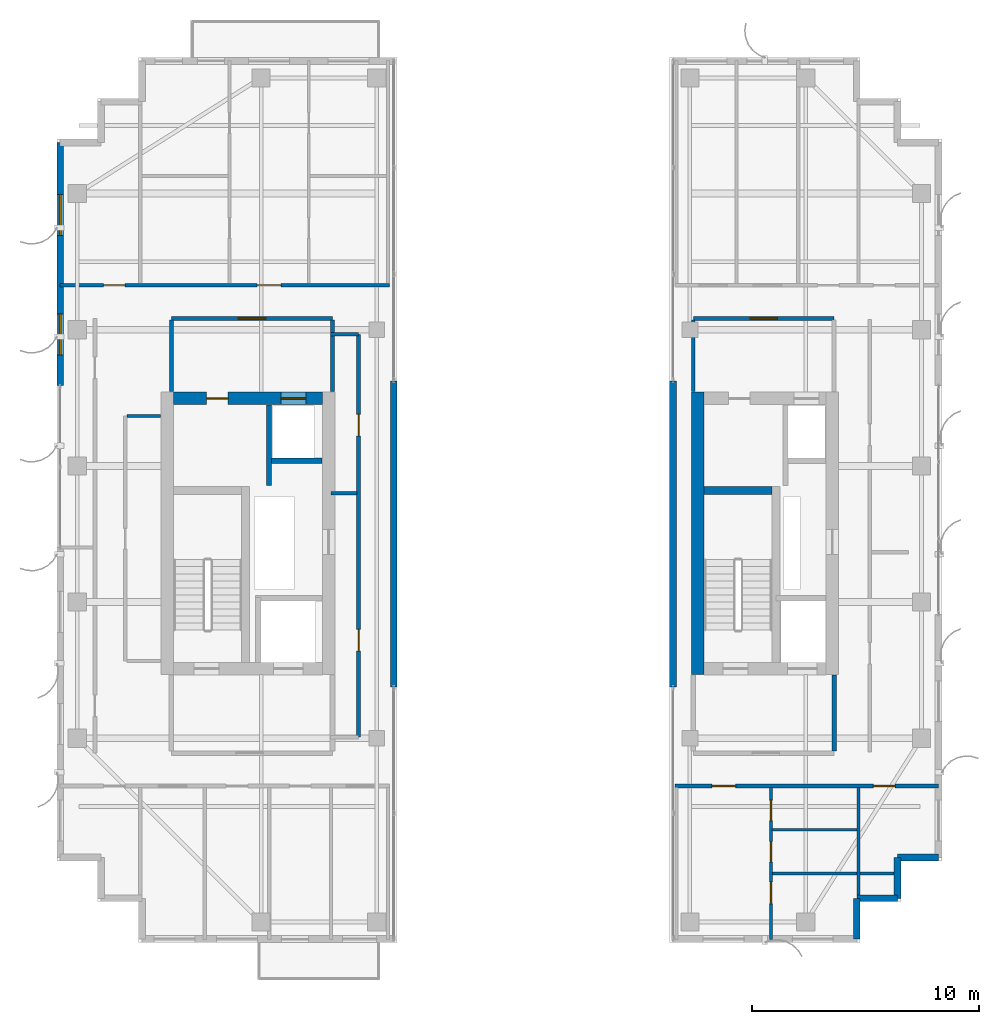
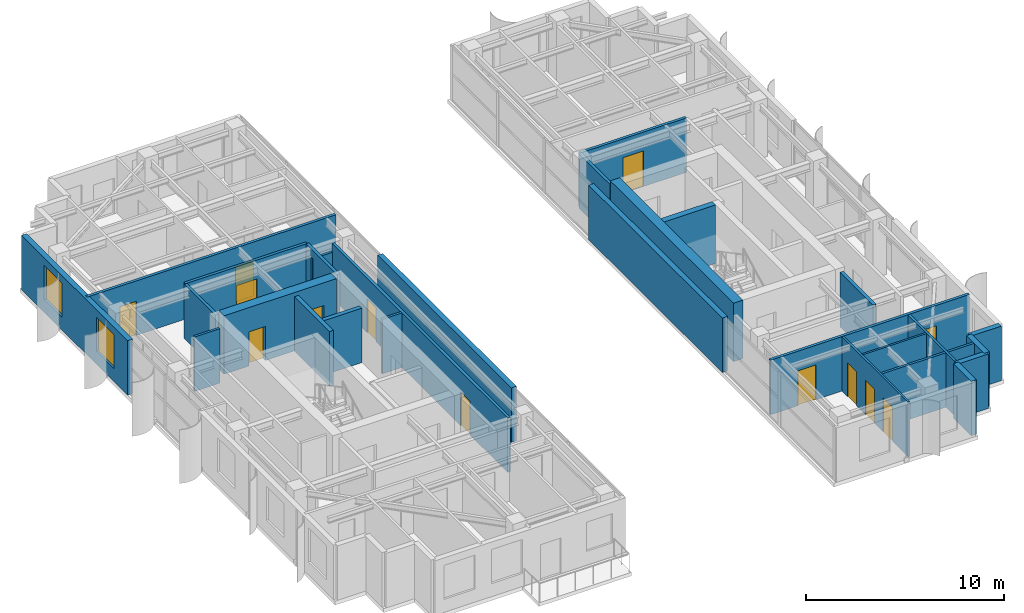
# One storey, part 18 of 23: 28 walls, 13 doors, 2 windows, 15 openings.
"""IFC4 building model written with IfcOpenShell, lengths in metres."""

from ifc_helpers import new_model, si_unit, direction, frame, frame_2d, origin, place, context, subcontext, project, spatial, rectangle, extrude, source, transform, mapped, material, layer, layer_set, type_object, element, fill, save


model = new_model("IFC4")

# Units and contexts
model_context = context("Model", 3, precision=1e-05, world=origin(), true_north=direction((0.0, 1.0)))
body_context = subcontext(model_context, "Body", "Model", "MODEL_VIEW")
ifc_project = project(units=[si_unit("LENGTHUNIT", "METRE"), si_unit("AREAUNIT", "SQUARE_METRE"), si_unit("VOLUMEUNIT", "CUBIC_METRE"), si_unit("PLANEANGLEUNIT", "RADIAN"), si_unit("MASSUNIT", "GRAM", prefix="KILO")], contexts=[model_context])

# Site, building, storey
site_placement = place(None, origin())
site = spatial("IfcSite", under=ifc_project, at=site_placement, CompositionType="ELEMENT")
building_placement = place(site_placement, origin())
building = spatial("IfcBuilding", under=site, at=building_placement, Name="Khoralis Quay Care Tower", CompositionType="ELEMENT")
storey_placement = place(building_placement, frame((0.0, 0.0, 245.699951171875)))
storey = spatial("IfcBuildingStorey", under=building, at=storey_placement, Name="L64", CompositionType="ELEMENT", Elevation=245.699951171875)

# Wall
ifc_material_1 = material(Name="Gypsum plasterboard on acoustic metal stud")
ifc_layer_1 = layer(ifc_material_1, 0.199951171875)
ifc_layer_set_1 = layer_set([ifc_layer_1], Name="Gypsum plasterboard on acoustic metal stud")
wall_type_1 = type_object("IfcWallType", Name="WL-COMP-200", PredefinedType="PARTITIONING", material=ifc_layer_set_1)
wall_1_placement = place(storey_placement, frame((37.25, 11.445068359375, 0.0), z_axis=(0.0, 0.0, 1.0), x_axis=(0.0, 1.0, 0.0)))
element("IfcWall", 1, at=wall_1_placement, inside=storey, type_object=wall_type_1, Name="L64 East Firefighting Lobby East Wall", PredefinedType="PARTITIONING", context=body_context, shape_type="SweptSolid", body=[
    extrude(rectangle(XDim=3.3349609375, YDim=0.199951171875, at=frame_2d((1.66748046875, 0.0))), origin(), (0.0, 0.0, 1.0), 3.360107421875),
])

# Wall, openings, doors
ifc_material_2 = material(Name="Concrete C65/80", Category="concrete")
ifc_layer_2 = layer(ifc_material_2, 0.550048828125)
ifc_layer_set_2 = layer_set([ifc_layer_2], Name="Concrete C65/80")
wall_type_2 = type_object("IfcWallType", Name="WL-CORE-550", PredefinedType="SHEAR", material=ifc_layer_set_2)
wall_2_placement = place(storey_placement, frame((8.14990234375, 26.97509765625, 0.0), z_axis=(0.0, 0.0, 1.0), x_axis=(1.0, 0.0, 0.0)))
wall_2 = element("IfcWall", 2, at=wall_2_placement, inside=storey, type_object=wall_type_2, Name="L64 WCORE North Shear Wall", PredefinedType="SHEAR", context=body_context, shape_type="SweptSolid", body=[
    extrude(rectangle(XDim=6.550048828125, YDim=0.550048828125, at=frame_2d((3.27490234375, 0.0))), origin(), (0.0, 0.0, 1.0), 3.60009765625),
])
opening_1_placement = place(wall_2_placement, frame((1.449951171875, 0.0, 0.0)))
opening_1 = element("IfcOpeningElement", 3, at=opening_1_placement, cuts=wall_2, Name="Opening ID1", PredefinedType="OPENING", context=body_context, shape_type="SweptSolid", body=[
    extrude(rectangle(XDim=0.949951171875, YDim=2.10009765625, at=frame_2d((0.47509765625, 1.050048828125))), frame((0.0, 0.28515625, 0.0), z_axis=(0.0, -1.0, 0.0), x_axis=(1.0, 0.0, 0.0)), (0.0, 0.0, 1.0), 0.570068359375),
])
opening_2_placement = place(wall_2_placement, frame((4.72998046875, 0.0, 0.0)))
opening_2 = element("IfcOpeningElement", 4, at=opening_2_placement, cuts=wall_2, Name="Opening LD1", PredefinedType="OPENING", context=body_context, shape_type="SweptSolid", body=[
    extrude(rectangle(XDim=1.10009765625, YDim=2.199951171875, at=frame_2d((0.550048828125, 1.10009765625))), frame((0.0, 0.28515625, 0.0), z_axis=(0.0, -1.0, 0.0), x_axis=(1.0, 0.0, 0.0)), (0.0, 0.0, 1.0), 0.570068359375),
])
ifc_material_3 = material(Name="Brushed stainless steel", Category="steel")
door_type_1 = type_object("IfcDoorType", Name="DR-LIFT-1100X2200", OperationType="SLIDING_TO_LEFT", PredefinedType="DOOR", material=ifc_material_3)
shared_shape_1 = source(origin(), body_context, "Body", "SweptSolid", [
    extrude(rectangle(XDim=1.10009765625, YDim=2.199951171875, at=frame_2d((0.550048828125, 1.10009765625))), frame((0.0, 0.02490234375, 0.0), z_axis=(0.0, -1.0, 0.0), x_axis=(1.0, 0.0, 0.0)), (0.0, 0.0, 1.0), 0.050048828125),
])
door_1_placement = place(opening_2_placement, origin())
door_1 = element("IfcDoor", 5, at=door_1_placement, inside=storey, type_object=door_type_1, Name="L64 Lift PLH1 Landing Door", OperationType="SLIDING_TO_LEFT", OverallHeight=2.199951171875, OverallWidth=1.10009765625, PredefinedType="DOOR", context=body_context, shape_type="MappedRepresentation", body=[
    mapped(shared_shape_1, transform((0.0, 0.0, 0.0), scale=1.0)),
])
fill(opening_2, door_1)
ifc_material_4 = material(Name="Acoustic hardwood timber", Category="wood")
door_type_2 = type_object("IfcDoorType", Name="DR-ROOM-950X2100", OperationType="NOTDEFINED", PredefinedType="DOOR", material=ifc_material_4)
shared_shape_2 = source(origin(), body_context, "Body", "SweptSolid", [
    extrude(rectangle(XDim=0.949951171875, YDim=2.10009765625, at=frame_2d((0.47509765625, 1.050048828125))), frame((0.0, 0.02490234375, 0.0), z_axis=(0.0, -1.0, 0.0), x_axis=(1.0, 0.0, 0.0)), (0.0, 0.0, 1.0), 0.050048828125),
])
door_2_placement = place(opening_1_placement, frame((0.949951171875, 0.0, 0.0), z_axis=(0.0, 0.0, 1.0), x_axis=(-1.0, 0.0, 0.0)))
door_2 = element("IfcDoor", 6, at=door_2_placement, inside=storey, type_object=door_type_2, Name="L64 Telemetry Room Door", OperationType="SINGLE_SWING_RIGHT", OverallHeight=2.10009765625, OverallWidth=0.949951171875, PredefinedType="DOOR", context=body_context, shape_type="MappedRepresentation", body=[
    mapped(shared_shape_2, transform((0.0, 0.0, 0.0), scale=1.0)),
])
fill(opening_1, door_2)

# Wall
wall_3_placement = place(storey_placement, frame((31.2451171875, 14.800048828125, 0.0), z_axis=(0.0, 0.0, 1.0), x_axis=(0.0, 1.0, 0.0)))
element("IfcWall", 7, at=wall_3_placement, inside=storey, type_object=wall_type_2, Name="L64 ECORE West Shear Wall", PredefinedType="SHEAR", context=body_context, shape_type="SweptSolid", body=[
    extrude(rectangle(XDim=12.449951171875, YDim=0.550048828125, at=frame_2d((6.22509765625, 0.0))), origin(), (0.0, 0.0, 1.0), 3.60009765625),
])

# Wall, opening, door
ifc_layer_3 = layer(ifc_material_1, 0.1650390625)
ifc_layer_set_3 = layer_set([ifc_layer_3], Name="Gypsum plasterboard on acoustic metal stud")
wall_type_3 = type_object("IfcWallType", Name="WL-CORR-165", PredefinedType="PARTITIONING", material=ifc_layer_set_3)
wall_4_placement = place(storey_placement, frame((8.050048828125, 30.5, 0.0), z_axis=(0.0, 0.0, 1.0), x_axis=(1.0, 0.0, 0.0)))
wall_4 = element("IfcWall", 8, at=wall_4_placement, inside=storey, type_object=wall_type_3, Name="L64 West Lift Lobby North Wall", PredefinedType="PARTITIONING", context=body_context, shape_type="SweptSolid", body=[
    extrude(rectangle(XDim=7.099853515625, YDim=0.1650390625, at=frame_2d((3.5498046875, 0.0))), origin(), (0.0, 0.0, 1.0), 3.360107421875),
])
opening_3_placement = place(wall_4_placement, frame((2.949951171875, 0.0, 0.0)))
opening_3 = element("IfcOpeningElement", 9, at=opening_3_placement, cuts=wall_4, Name="Opening FD1", PredefinedType="OPENING", context=body_context, shape_type="SweptSolid", body=[
    extrude(rectangle(XDim=1.199951171875, YDim=2.199951171875, at=frame_2d((0.60009765625, 1.10009765625))), frame((0.0, 0.092529296875, 0.0), z_axis=(0.0, -1.0, 0.0), x_axis=(1.0, 0.0, 0.0)), (0.0, 0.0, 1.0), 0.18505859375),
])
ifc_material_5 = material(Name="Fire-rated painted steel", Category="steel")
door_type_3 = type_object("IfcDoorType", Name="DR-FFL-1200X2200", OperationType="NOTDEFINED", PredefinedType="DOOR", material=ifc_material_5)
shared_shape_3 = source(origin(), body_context, "Body", "SweptSolid", [
    extrude(rectangle(XDim=1.199951171875, YDim=2.199951171875, at=frame_2d((0.60009765625, 1.10009765625))), frame((0.0, 0.02490234375, 0.0), z_axis=(0.0, -1.0, 0.0), x_axis=(1.0, 0.0, 0.0)), (0.0, 0.0, 1.0), 0.050048828125),
])
door_3_placement = place(opening_3_placement, origin())
door_3 = element("IfcDoor", 10, at=door_3_placement, inside=storey, type_object=door_type_3, Name="L64 West Lift Lobby Double Door", OperationType="DOUBLE_DOOR_SINGLE_SWING", OverallHeight=2.199951171875, OverallWidth=1.199951171875, PredefinedType="DOOR", context=body_context, shape_type="MappedRepresentation", body=[
    mapped(shared_shape_3, transform((0.0, 0.0, 0.0), scale=1.0)),
])
fill(opening_3, door_3)

# Walls
for number, where, z_axis, x_axis, name in (
    (11, (8.050048828125, 27.27001953125, 0.0), (0.0, 0.0, 1.0), (0.0, 1.0, 0.0), "L64 West Lift Lobby West Wall"),
    (12, (15.14990234375, 27.27001953125, 0.0), (0.0, 0.0, 1.0), (0.0, 1.0, 0.0), "L64 West Lift Lobby East Wall"),
):
    element("IfcWall", number, at=place(storey_placement, frame(where, z_axis=z_axis, x_axis=x_axis)), inside=storey, type_object=wall_type_3, Name=name, PredefinedType="PARTITIONING", context=body_context, shape_type="SweptSolid", body=[
        extrude(rectangle(XDim=3.152587890625, YDim=0.1650390625, at=frame_2d((1.576171875, 0.0))), origin(), (0.0, 0.0, 1.0), 3.360107421875),
    ])

# Wall, opening, door
wall_5_placement = place(storey_placement, frame((31.050048828125, 30.5, 0.0), z_axis=(0.0, 0.0, 1.0), x_axis=(1.0, 0.0, 0.0)))
wall_5 = element("IfcWall", 13, at=wall_5_placement, inside=storey, type_object=wall_type_3, Name="L64 East Lift Lobby North Wall", PredefinedType="PARTITIONING", context=body_context, shape_type="SweptSolid", body=[
    extrude(rectangle(XDim=6.199951171875, YDim=0.1650390625, at=frame_2d((3.10009765625, 0.0))), origin(), (0.0, 0.0, 1.0), 3.360107421875),
])
opening_4_placement = place(wall_5_placement, frame((2.5, 0.0, 0.0)))
opening_4 = element("IfcOpeningElement", 14, at=opening_4_placement, cuts=wall_5, Name="Opening FD1", PredefinedType="OPENING", context=body_context, shape_type="SweptSolid", body=[
    extrude(rectangle(XDim=1.199951171875, YDim=2.199951171875, at=frame_2d((0.60009765625, 1.10009765625))), frame((0.0, 0.092529296875, 0.0), z_axis=(0.0, -1.0, 0.0), x_axis=(1.0, 0.0, 0.0)), (0.0, 0.0, 1.0), 0.18505859375),
])
door_4_placement = place(opening_4_placement, origin())
door_4 = element("IfcDoor", 15, at=door_4_placement, inside=storey, type_object=door_type_3, Name="L64 East Lift Lobby Double Door", OperationType="DOUBLE_DOOR_SINGLE_SWING", OverallHeight=2.199951171875, OverallWidth=1.199951171875, PredefinedType="DOOR", context=body_context, shape_type="MappedRepresentation", body=[
    mapped(shared_shape_3, transform((0.0, 0.0, 0.0), scale=1.0)),
])
fill(opening_4, door_4)

# Wall
wall_6_placement = place(storey_placement, frame((31.050048828125, 27.27001953125, 0.0), z_axis=(0.0, 0.0, 1.0), x_axis=(0.0, 1.0, 0.0)))
element("IfcWall", 16, at=wall_6_placement, inside=storey, type_object=wall_type_3, Name="L64 East Lift Lobby West Wall", PredefinedType="PARTITIONING", context=body_context, shape_type="SweptSolid", body=[
    extrude(rectangle(XDim=3.152587890625, YDim=0.1650390625, at=frame_2d((1.576171875, 0.0))), origin(), (0.0, 0.0, 1.0), 3.360107421875),
])

# Wall, openings, doors
wall_7_placement = place(storey_placement, frame((3.14501953125, 31.9599609375, 0.0), z_axis=(0.0, 0.0, 1.0), x_axis=(1.0, 0.0, 0.0)))
wall_7 = element("IfcWall", 17, at=wall_7_placement, inside=storey, type_object=wall_type_3, Name="L64 West Wing North Corridor Wall", PredefinedType="PARTITIONING", context=body_context, shape_type="SweptSolid", body=[
    extrude(rectangle(XDim=14.5048828125, YDim=0.1650390625, at=frame_2d((7.25244140625, 0.0))), origin(), (0.0, 0.0, 1.0), 3.360107421875),
])
opening_5_placement = place(wall_7_placement, frame((8.6884765625, 0.0, 0.0)))
opening_5 = element("IfcOpeningElement", 18, at=opening_5_placement, cuts=wall_7, Name="Opening UD1", PredefinedType="OPENING", context=body_context, shape_type="SweptSolid", body=[
    extrude(rectangle(XDim=1.050048828125, YDim=2.14990234375, at=frame_2d((0.52490234375, 1.074951171875))), frame((0.0, 0.092529296875, 0.0), z_axis=(0.0, -1.0, 0.0), x_axis=(1.0, 0.0, 0.0)), (0.0, 0.0, 1.0), 0.18505859375),
])
opening_6_placement = place(wall_7_placement, frame((1.919921875, 0.0, 0.0)))
opening_6 = element("IfcOpeningElement", 19, at=opening_6_placement, cuts=wall_7, Name="Opening ID1", PredefinedType="OPENING", context=body_context, shape_type="SweptSolid", body=[
    extrude(rectangle(XDim=0.949951171875, YDim=2.10009765625, at=frame_2d((0.47509765625, 1.050048828125))), frame((0.0, 0.092529296875, 0.0), z_axis=(0.0, -1.0, 0.0), x_axis=(1.0, 0.0, 0.0)), (0.0, 0.0, 1.0), 0.18505859375),
])
door_5_placement = place(opening_6_placement, origin())
door_5 = element("IfcDoor", 20, at=door_5_placement, inside=storey, type_object=door_type_2, Name="L64 NW Corner Door", OperationType="SINGLE_SWING_RIGHT", OverallHeight=2.10009765625, OverallWidth=0.949951171875, PredefinedType="DOOR", context=body_context, shape_type="MappedRepresentation", body=[
    mapped(shared_shape_2, transform((0.0, 0.0, 0.0), scale=1.0)),
])
fill(opening_6, door_5)
door_type_4 = type_object("IfcDoorType", Name="DR-SUITE-1050X2150", OperationType="NOTDEFINED", PredefinedType="DOOR", material=ifc_material_4)
shared_shape_4 = source(origin(), body_context, "Body", "SweptSolid", [
    extrude(rectangle(XDim=1.050048828125, YDim=2.14990234375, at=frame_2d((0.52490234375, 1.074951171875))), frame((0.0, 0.02490234375, 0.0), z_axis=(0.0, -1.0, 0.0), x_axis=(1.0, 0.0, 0.0)), (0.0, 0.0, 1.0), 0.050048828125),
])
door_6_placement = place(opening_5_placement, origin())
door_6 = element("IfcDoor", 21, at=door_6_placement, inside=storey, type_object=door_type_4, Name="L64 2BR WN0 Entrance", OperationType="SINGLE_SWING_LEFT", OverallHeight=2.14990234375, OverallWidth=1.050048828125, PredefinedType="DOOR", context=body_context, shape_type="MappedRepresentation", body=[
    mapped(shared_shape_4, transform((0.0, 0.0, 0.0), scale=1.0)),
])
fill(opening_5, door_6)

wall_8_placement = place(storey_placement, frame((16.300048828125, 12.050048828125, 0.0), z_axis=(0.0, 0.0, 1.0), x_axis=(0.0, 1.0, 0.0)))
wall_8 = element("IfcWall", 22, at=wall_8_placement, inside=storey, type_object=wall_type_3, Name="L64 Portal Gallery Wall", PredefinedType="PARTITIONING", context=body_context, shape_type="SweptSolid", body=[
    extrude(rectangle(XDim=17.75, YDim=0.1650390625, at=frame_2d((8.875, 0.0))), origin(), (0.0, 0.0, 1.0), 3.360107421875),
])
opening_7_placement = place(wall_8_placement, frame((3.800048828125, 0.0, 0.0)))
opening_7 = element("IfcOpeningElement", 23, at=opening_7_placement, cuts=wall_8, Name="Opening ID1", PredefinedType="OPENING", context=body_context, shape_type="SweptSolid", body=[
    extrude(rectangle(XDim=0.949951171875, YDim=2.10009765625, at=frame_2d((0.47509765625, 1.050048828125))), frame((0.0, 0.092529296875, 0.0), z_axis=(0.0, -1.0, 0.0), x_axis=(1.0, 0.0, 0.0)), (0.0, 0.0, 1.0), 0.18505859375),
])
opening_8_placement = place(wall_8_placement, frame((13.27490234375, 0.0, 0.0)))
opening_8 = element("IfcOpeningElement", 24, at=opening_8_placement, cuts=wall_8, Name="Opening ID1", PredefinedType="OPENING", context=body_context, shape_type="SweptSolid", body=[
    extrude(rectangle(XDim=0.949951171875, YDim=2.10009765625, at=frame_2d((0.47509765625, 1.050048828125))), frame((0.0, 0.092529296875, 0.0), z_axis=(0.0, -1.0, 0.0), x_axis=(1.0, 0.0, 0.0)), (0.0, 0.0, 1.0), 0.18505859375),
])
door_7_placement = place(opening_7_placement, frame((0.949951171875, 0.0, 0.0), z_axis=(0.0, 0.0, 1.0), x_axis=(-1.0, 0.0, 0.0)))
door_7 = element("IfcDoor", 25, at=door_7_placement, inside=storey, type_object=door_type_2, Name="L64 Portal Lounge Door", OperationType="SINGLE_SWING_LEFT", OverallHeight=2.10009765625, OverallWidth=0.949951171875, PredefinedType="DOOR", context=body_context, shape_type="MappedRepresentation", body=[
    mapped(shared_shape_2, transform((0.0, 0.0, 0.0), scale=1.0)),
])
fill(opening_7, door_7)
door_8_placement = place(opening_8_placement, frame((0.949951171875, 0.0, 0.0), z_axis=(0.0, 0.0, 1.0), x_axis=(-1.0, 0.0, 0.0)))
door_8 = element("IfcDoor", 26, at=door_8_placement, inside=storey, type_object=door_type_2, Name="L64 Portal Office Door", OperationType="SINGLE_SWING_RIGHT", OverallHeight=2.10009765625, OverallWidth=0.949951171875, PredefinedType="DOOR", context=body_context, shape_type="MappedRepresentation", body=[
    mapped(shared_shape_2, transform((0.0, 0.0, 0.0), scale=1.0)),
])
fill(opening_8, door_8)

wall_9_placement = place(storey_placement, frame((30.25, 9.89990234375, 0.0), z_axis=(0.0, 0.0, 1.0), x_axis=(1.0, 0.0, 0.0)))
wall_9 = element("IfcWall", 27, at=wall_9_placement, inside=storey, type_object=wall_type_3, Name="L64 East Wing South Corridor Wall", PredefinedType="PARTITIONING", context=body_context, shape_type="SweptSolid", body=[
    extrude(rectangle(XDim=11.60498046875, YDim=0.1650390625, at=frame_2d((5.802490234375, 0.0))), origin(), (0.0, 0.0, 1.0), 3.360107421875),
])
opening_9_placement = place(wall_9_placement, frame((1.610107421875, 0.0, 0.0)))
opening_9 = element("IfcOpeningElement", 28, at=opening_9_placement, cuts=wall_9, Name="Opening UD1", PredefinedType="OPENING", context=body_context, shape_type="SweptSolid", body=[
    extrude(rectangle(XDim=1.050048828125, YDim=2.14990234375, at=frame_2d((0.52490234375, 1.074951171875))), frame((0.0, 0.092529296875, 0.0), z_axis=(0.0, -1.0, 0.0), x_axis=(1.0, 0.0, 0.0)), (0.0, 0.0, 1.0), 0.18505859375),
])
opening_10_placement = place(wall_9_placement, frame((8.735107421875, 0.0, 0.0)))
opening_10 = element("IfcOpeningElement", 29, at=opening_10_placement, cuts=wall_9, Name="Opening ID1", PredefinedType="OPENING", context=body_context, shape_type="SweptSolid", body=[
    extrude(rectangle(XDim=0.949951171875, YDim=2.10009765625, at=frame_2d((0.47509765625, 1.050048828125))), frame((0.0, 0.092529296875, 0.0), z_axis=(0.0, -1.0, 0.0), x_axis=(1.0, 0.0, 0.0)), (0.0, 0.0, 1.0), 0.18505859375),
])
door_9_placement = place(opening_10_placement, frame((0.949951171875, 0.0, 0.0), z_axis=(0.0, 0.0, 1.0), x_axis=(-1.0, 0.0, 0.0)))
door_9 = element("IfcDoor", 30, at=door_9_placement, inside=storey, type_object=door_type_2, Name="L64 SE Corner Door", OperationType="SINGLE_SWING_RIGHT", OverallHeight=2.10009765625, OverallWidth=0.949951171875, PredefinedType="DOOR", context=body_context, shape_type="MappedRepresentation", body=[
    mapped(shared_shape_2, transform((0.0, 0.0, 0.0), scale=1.0)),
])
fill(opening_10, door_9)
door_10_placement = place(opening_9_placement, frame((1.050048828125, 0.0, 0.0), z_axis=(0.0, 0.0, 1.0), x_axis=(-1.0, 0.0, 0.0)))
door_10 = element("IfcDoor", 31, at=door_10_placement, inside=storey, type_object=door_type_4, Name="L64 Apartment ES0 Entrance Door", OperationType="SINGLE_SWING_LEFT", OverallHeight=2.14990234375, OverallWidth=1.050048828125, PredefinedType="DOOR", context=body_context, shape_type="MappedRepresentation", body=[
    mapped(shared_shape_4, transform((0.0, 0.0, 0.0), scale=1.0)),
])
fill(opening_9, door_10)

# Wall
ifc_material_6 = material(Name="Precast concrete C45/55", Category="concrete")
ifc_layer_4 = layer(ifc_material_6, 0.300048828125)
ifc_layer_set_4 = layer_set([ifc_layer_4], Name="Precast concrete C45/55")
wall_type_4 = type_object("IfcWallType", Name="WL-EXT-REF-300", PredefinedType="SOLIDWALL", material=ifc_layer_set_4)
wall_10_placement = place(storey_placement, frame((17.85009765625, 14.25, 0.0), z_axis=(0.0, 0.0, 1.0), x_axis=(0.0, 1.0, 0.0)))
element("IfcWall", 32, at=wall_10_placement, inside=storey, type_object=wall_type_4, Name="L64 External Facade Wall WL-VP-L64-P1-M", PredefinedType="SOLIDWALL", context=body_context, shape_type="SweptSolid", body=[
    extrude(rectangle(XDim=13.5, YDim=0.300048828125, at=frame_2d((6.75, 0.0))), origin(), (0.0, 0.0, 1.0), 3.360107421875),
])

# Wall, openings, windows
wall_11_placement = place(storey_placement, frame((3.14990234375, 38.25, 0.0), z_axis=(0.0, 0.0, 1.0), x_axis=(0.0, -1.0, 0.0)))
wall_11 = element("IfcWall", 33, at=wall_11_placement, inside=storey, type_object=wall_type_4, Name="L64 External Facade Wall WL-EXT-L64-P1-E7A", PredefinedType="SOLIDWALL", context=body_context, shape_type="SweptSolid", body=[
    extrude(rectangle(XDim=10.7099609375, YDim=0.300048828125, at=frame_2d((5.35498046875, 0.0))), origin(), (0.0, 0.0, 1.0), 3.360107421875),
])
opening_11_placement = place(wall_11_placement, frame((2.294921875, 0.0, 0.800048828125)))
opening_11 = element("IfcOpeningElement", 34, at=opening_11_placement, cuts=wall_11, Name="Opening W2", PredefinedType="OPENING", context=body_context, shape_type="SweptSolid", body=[
    extrude(rectangle(XDim=1.800048828125, YDim=2.10009765625, at=frame_2d((0.89990234375, 1.050048828125))), frame((0.0, 0.16015625, 0.0), z_axis=(0.0, -1.0, 0.0), x_axis=(1.0, 0.0, 0.0)), (0.0, 0.0, 1.0), 0.320068359375),
])
opening_12_placement = place(wall_11_placement, frame((7.550048828125, 0.0, 0.800048828125)))
opening_12 = element("IfcOpeningElement", 35, at=opening_12_placement, cuts=wall_11, Name="Opening W2", PredefinedType="OPENING", context=body_context, shape_type="SweptSolid", body=[
    extrude(rectangle(XDim=1.800048828125, YDim=2.10009765625, at=frame_2d((0.89990234375, 1.050048828125))), frame((0.0, 0.16015625, 0.0), z_axis=(0.0, -1.0, 0.0), x_axis=(1.0, 0.0, 0.0)), (0.0, 0.0, 1.0), 0.320068359375),
])
ifc_material_7 = material(Name="Low-E solar-control double glazing", Category="glass")
window_type = type_object("IfcWindowType", Name="WN-POD-1800X2100", PartitioningType="SINGLE_PANEL", PredefinedType="WINDOW", material=ifc_material_7)
shared_shape_5 = source(origin(), body_context, "Body", "SweptSolid", [
    extrude(rectangle(XDim=1.800048828125, YDim=2.10009765625, at=frame_2d((0.89990234375, 1.050048828125))), frame((0.0, 0.030029296875, 0.0), z_axis=(0.0, -1.0, 0.0), x_axis=(1.0, 0.0, 0.0)), (0.0, 0.0, 1.0), 0.06005859375),
])
window_1_placement = place(opening_11_placement, origin())
window_1 = element("IfcWindow", 36, at=window_1_placement, inside=storey, type_object=window_type, Name="WN-L64-P1-E7A Facade Window 01", OverallHeight=2.10009765625, OverallWidth=1.800048828125, PartitioningType="SINGLE_PANEL", PredefinedType="WINDOW", context=body_context, shape_type="MappedRepresentation", body=[
    mapped(shared_shape_5, transform((0.0, 0.0, 0.0), scale=1.0)),
])
fill(opening_11, window_1)
window_2_placement = place(opening_12_placement, origin())
window_2 = element("IfcWindow", 37, at=window_2_placement, inside=storey, type_object=window_type, Name="WN-L64-P1-E7A Facade Window 02", OverallHeight=2.10009765625, OverallWidth=1.800048828125, PartitioningType="SINGLE_PANEL", PredefinedType="WINDOW", context=body_context, shape_type="MappedRepresentation", body=[
    mapped(shared_shape_5, transform((0.0, 0.0, 0.0), scale=1.0)),
])
fill(opening_12, window_2)

# Walls
for number, where, z_axis, x_axis, name in (
    (38, (38.25, 3.14990234375, 0.0), (0.0, 0.0, 1.0), (0.0, 1.0, 0.0), "L64 External Facade Wall WL-EXT-L64-P2-C1"),
    (39, (38.25, 4.949951171875, 0.0), (0.0, 0.0, 1.0), (1.0, 0.0, 0.0), "L64 External Facade Wall WL-EXT-L64-P2-C2"),
    (40, (40.050048828125, 4.949951171875, 0.0), (0.0, 0.0, 1.0), (0.0, 1.0, 0.0), "L64 External Facade Wall WL-EXT-L64-P2-C3"),
    (41, (40.050048828125, 6.75, 0.0), (0.0, 0.0, 1.0), (1.0, 0.0, 0.0), "L64 External Facade Wall WL-EXT-L64-P2-C4"),
):
    element("IfcWall", number, at=place(storey_placement, frame(where, z_axis=z_axis, x_axis=x_axis)), inside=storey, type_object=wall_type_4, Name=name, PredefinedType="SOLIDWALL", context=body_context, shape_type="SweptSolid", body=[
        extrude(rectangle(XDim=1.800048828125, YDim=0.300048828125, at=frame_2d((0.89990234375, 0.0))), origin(), (0.0, 0.0, 1.0), 3.360107421875),
    ])
wall_12_placement = place(storey_placement, frame((30.14990234375, 14.25, 0.0), z_axis=(0.0, 0.0, 1.0), x_axis=(0.0, 1.0, 0.0)))
element("IfcWall", 42, at=wall_12_placement, inside=storey, type_object=wall_type_4, Name="L64 External Facade Wall WL-VP-L64-P2-M", PredefinedType="SOLIDWALL", context=body_context, shape_type="SweptSolid", body=[
    extrude(rectangle(XDim=13.5, YDim=0.300048828125, at=frame_2d((6.75, 0.0))), origin(), (0.0, 0.0, 1.0), 3.360107421875),
])

# Wall, openings, doors
ifc_layer_5 = layer(ifc_material_1, 0.114990234375)
ifc_layer_set_5 = layer_set([ifc_layer_5], Name="Gypsum plasterboard on acoustic metal stud")
wall_type_5 = type_object("IfcWallType", Name="WL-PART-115", PredefinedType="PARTITIONING", material=ifc_layer_set_5)
wall_13_placement = place(storey_placement, frame((34.469970703125, 3.14501953125, 0.0), z_axis=(0.0, 0.0, 1.0), x_axis=(0.0, 1.0, 0.0)))
wall_13 = element("IfcWall", 43, at=wall_13_placement, inside=storey, type_object=wall_type_5, Name="L64 Unit 0 Internal Wall", PredefinedType="PARTITIONING", context=body_context, shape_type="SweptSolid", body=[
    extrude(rectangle(XDim=6.677490234375, YDim=0.114990234375, at=frame_2d((3.3388671875, 0.0))), origin(), (0.0, 0.0, 1.0), 3.360107421875),
])
opening_13_placement = place(wall_13_placement, frame((1.572998046875, 0.0, 0.0)))
opening_13 = element("IfcOpeningElement", 44, at=opening_13_placement, cuts=wall_13, Name="Opening ID1", PredefinedType="OPENING", context=body_context, shape_type="SweptSolid", body=[
    extrude(rectangle(XDim=0.949951171875, YDim=2.10009765625, at=frame_2d((0.47509765625, 1.050048828125))), frame((0.0, 0.0673828125, 0.0), z_axis=(0.0, -1.0, 0.0), x_axis=(1.0, 0.0, 0.0)), (0.0, 0.0, 1.0), 0.135009765625),
])
opening_14_placement = place(wall_13_placement, frame((3.406982421875, 0.0, 0.0)))
opening_14 = element("IfcOpeningElement", 45, at=opening_14_placement, cuts=wall_13, Name="Opening WD1", PredefinedType="OPENING", context=body_context, shape_type="SweptSolid", body=[
    extrude(rectangle(XDim=0.89990234375, YDim=2.10009765625, at=frame_2d((0.449951171875, 1.050048828125))), frame((0.0, 0.0673828125, 0.0), z_axis=(0.0, -1.0, 0.0), x_axis=(1.0, 0.0, 0.0)), (0.0, 0.0, 1.0), 0.135009765625),
])
opening_15_placement = place(wall_13_placement, frame((5.22412109375, 0.0, 0.0)))
opening_15 = element("IfcOpeningElement", 46, at=opening_15_placement, cuts=wall_13, Name="Opening WD1", PredefinedType="OPENING", context=body_context, shape_type="SweptSolid", body=[
    extrude(rectangle(XDim=0.89990234375, YDim=2.10009765625, at=frame_2d((0.449951171875, 1.050048828125))), frame((0.0, 0.0673828125, 0.0), z_axis=(0.0, -1.0, 0.0), x_axis=(1.0, 0.0, 0.0)), (0.0, 0.0, 1.0), 0.135009765625),
])
door_type_5 = type_object("IfcDoorType", Name="DR-BATH-900X2100", OperationType="NOTDEFINED", PredefinedType="DOOR", material=ifc_material_4)
shared_shape_6 = source(origin(), body_context, "Body", "SweptSolid", [
    extrude(rectangle(XDim=0.89990234375, YDim=2.10009765625, at=frame_2d((0.449951171875, 1.050048828125))), frame((0.0, 0.02490234375, 0.0), z_axis=(0.0, -1.0, 0.0), x_axis=(1.0, 0.0, 0.0)), (0.0, 0.0, 1.0), 0.050048828125),
])
door_11_placement = place(opening_14_placement, frame((0.89990234375, 0.0, 0.0), z_axis=(0.0, 0.0, 1.0), x_axis=(-1.0, 0.0, 0.0)))
door_11 = element("IfcDoor", 47, at=door_11_placement, inside=storey, type_object=door_type_5, Name="L64 Apartment ES0 KIT Door", OperationType="SINGLE_SWING_LEFT", OverallHeight=2.10009765625, OverallWidth=0.89990234375, PredefinedType="DOOR", context=body_context, shape_type="MappedRepresentation", body=[
    mapped(shared_shape_6, transform((0.0, 0.0, 0.0), scale=1.0)),
])
fill(opening_14, door_11)
door_12_placement = place(opening_15_placement, frame((0.89990234375, 0.0, 0.0), z_axis=(0.0, 0.0, 1.0), x_axis=(-1.0, 0.0, 0.0)))
door_12 = element("IfcDoor", 48, at=door_12_placement, inside=storey, type_object=door_type_5, Name="L64 Apartment ES0 BTH Door", OperationType="SINGLE_SWING_RIGHT", OverallHeight=2.10009765625, OverallWidth=0.89990234375, PredefinedType="DOOR", context=body_context, shape_type="MappedRepresentation", body=[
    mapped(shared_shape_6, transform((0.0, 0.0, 0.0), scale=1.0)),
])
fill(opening_15, door_12)
door_13_placement = place(opening_13_placement, frame((0.949951171875, 0.0, 0.0), z_axis=(0.0, 0.0, 1.0), x_axis=(-1.0, 0.0, 0.0)))
door_13 = element("IfcDoor", 49, at=door_13_placement, inside=storey, type_object=door_type_2, Name="L64 Apartment ES0 BED Door", OperationType="SINGLE_SWING_RIGHT", OverallHeight=2.10009765625, OverallWidth=0.949951171875, PredefinedType="DOOR", context=body_context, shape_type="MappedRepresentation", body=[
    mapped(shared_shape_2, transform((0.0, 0.0, 0.0), scale=1.0)),
])
fill(opening_13, door_13)

# Walls
wall_14_placement = place(storey_placement, frame((34.5224609375, 7.968017578125, 0.0), z_axis=(0.0, 0.0, 1.0), x_axis=(1.0, 0.0, 0.0)))
element("IfcWall", 50, at=wall_14_placement, inside=storey, type_object=wall_type_5, Name="L64 Unit 0 Kitchen Wall", PredefinedType="PARTITIONING", context=body_context, shape_type="SweptSolid", body=[
    extrude(rectangle(XDim=3.732421875, YDim=0.114990234375, at=frame_2d((1.8662109375, 0.0))), origin(), (0.0, 0.0, 1.0), 3.360107421875),
])
ifc_material_8 = material(Name="Moisture-resistant gypsum and ceramic tile")
ifc_layer_6 = layer(ifc_material_8, 0.280029296875)
ifc_layer_set_6 = layer_set([ifc_layer_6], Name="Moisture-resistant gypsum and ceramic tile")
wall_type_6 = type_object("IfcWallType", Name="WL-PLUMB-280", PredefinedType="PLUMBINGWALL", material=ifc_layer_set_6)
wall_15_placement = place(storey_placement, frame((34.5224609375, 6.035888671875, 0.0), z_axis=(0.0, 0.0, 1.0), x_axis=(1.0, 0.0, 0.0)))
element("IfcWall", 51, at=wall_15_placement, inside=storey, type_object=wall_type_6, Name="L64 Unit 0 Wet Wall", PredefinedType="PLUMBINGWALL", context=body_context, shape_type="SweptSolid", body=[
    extrude(rectangle(XDim=5.532470703125, YDim=0.139892578125, at=frame_2d((2.76611328125, 0.0))), origin(), (0.0, 0.0, 1.0), 3.360107421875),
])
ifc_material_9 = material(Name="Concrete C40/50", Category="concrete")
ifc_layer_7 = layer(ifc_material_9, 0.35009765625)
ifc_layer_set_7 = layer_set([ifc_layer_7], Name="Concrete C40/50")
wall_type_7 = type_object("IfcWallType", Name="WL-SC-CORE-350", PredefinedType="SHEAR", material=ifc_layer_set_7)
wall_16_placement = place(storey_placement, frame((31.52001953125, 22.925048828125, 0.0), z_axis=(0.0, 0.0, 1.0), x_axis=(1.0, 0.0, 0.0)))
element("IfcWall", 52, at=wall_16_placement, inside=storey, type_object=wall_type_7, Name="L64 Stair ST-T2 Shear Baffle Wall North", PredefinedType="SHEAR", context=body_context, shape_type="SweptSolid", body=[
    extrude(rectangle(XDim=3.0, YDim=0.35009765625, at=frame_2d((1.5, 0.0))), origin(), (0.0, 0.0, 1.0), 3.60009765625),
])
ifc_layer_8 = layer(ifc_material_1, 0.239990234375)
ifc_layer_set_8 = layer_set([ifc_layer_8], Name="Gypsum plasterboard on acoustic metal stud")
wall_type_8 = type_object("IfcWallType", Name="WL-SHAFT-240", PredefinedType="PARTITIONING", material=ifc_layer_set_8)
wall_17_placement = place(storey_placement, frame((12.35009765625, 23.139892578125, 0.0), z_axis=(0.0, 0.0, 1.0), x_axis=(0.0, 1.0, 0.0)))
element("IfcWall", 53, at=wall_17_placement, inside=storey, type_object=wall_type_8, Name="L64 High-Rise Reclaimed Bay Wall West", PredefinedType="PARTITIONING", context=body_context, shape_type="SweptSolid", body=[
    extrude(rectangle(XDim=3.5400390625, YDim=0.239990234375, at=frame_2d((1.77001953125, 0.0))), origin(), (0.0, 0.0, 1.0), 3.360107421875),
])
wall_18_placement = place(storey_placement, frame((12.465087890625, 24.22998046875, 0.0), z_axis=(0.0, 0.0, 1.0), x_axis=(1.0, 0.0, 0.0)))
element("IfcWall", 54, at=wall_18_placement, inside=storey, type_object=wall_type_8, Name="L64 High-Rise Shaft South Wall West", PredefinedType="PARTITIONING", context=body_context, shape_type="SweptSolid", body=[
    extrude(rectangle(XDim=2.21484375, YDim=0.239990234375, at=frame_2d((1.107421875, 0.0))), origin(), (0.0, 0.0, 1.0), 3.360107421875),
])
ifc_layer_9 = layer(ifc_material_1, 0.139892578125)
ifc_layer_set_9 = layer_set([ifc_layer_9], Name="Gypsum plasterboard on acoustic metal stud")
wall_type_9 = type_object("IfcWallType", Name="WL-UNIT-140", PredefinedType="PARTITIONING", material=ifc_layer_set_9)
wall_19_placement = place(storey_placement, frame((6.097412109375, 26.199951171875, 0.0), z_axis=(0.0, 0.0, 1.0), x_axis=(1.0, 0.0, 0.0)))
element("IfcWall", 55, at=wall_19_placement, inside=storey, type_object=wall_type_9, Name="L64 West Flank North Cap", PredefinedType="PARTITIONING", context=body_context, shape_type="SweptSolid", body=[
    extrude(rectangle(XDim=1.462646484375, YDim=0.139892578125, at=frame_2d((0.7314453125, 0.0))), origin(), (0.0, 0.0, 1.0), 3.360107421875),
])
wall_20_placement = place(storey_placement, frame((15.080078125, 22.800048828125, 0.0), z_axis=(0.0, 0.0, 1.0), x_axis=(1.0, 0.0, 0.0)))
element("IfcWall", 56, at=wall_20_placement, inside=storey, type_object=wall_type_9, Name="L64 Portal Lounge Divider", PredefinedType="PARTITIONING", context=body_context, shape_type="SweptSolid", body=[
    extrude(rectangle(XDim=1.142333984375, YDim=0.139892578125, at=frame_2d((0.5712890625, 0.0))), origin(), (0.0, 0.0, 1.0), 3.360107421875),
])
wall_21_placement = place(storey_placement, frame((38.320068359375, 4.945068359375, 0.0), z_axis=(0.0, 0.0, 1.0), x_axis=(0.0, 1.0, 0.0)))
element("IfcWall", 57, at=wall_21_placement, inside=storey, type_object=wall_type_9, Name="L64 ES Demising Wall 1", PredefinedType="PARTITIONING", context=body_context, shape_type="SweptSolid", body=[
    extrude(rectangle(XDim=4.87744140625, YDim=0.139892578125, at=frame_2d((2.438720703125, 0.0))), origin(), (0.0, 0.0, 1.0), 3.360107421875),
])
wall_22_placement = place(storey_placement, frame((15.050048828125, 29.800048828125, 0.0), z_axis=(0.0, 0.0, 1.0), x_axis=(1.0, 0.0, 0.0)))
element("IfcWall", 58, at=wall_22_placement, inside=storey, type_object=wall_type_9, Name="L64 Portal Alcove North Wall", PredefinedType="PARTITIONING", context=body_context, shape_type="SweptSolid", body=[
    extrude(rectangle(XDim=1.25, YDim=0.139892578125, at=frame_2d((0.625, 0.0))), origin(), (0.0, 0.0, 1.0), 2.860107421875),
])

save(model, "model.ifc")
